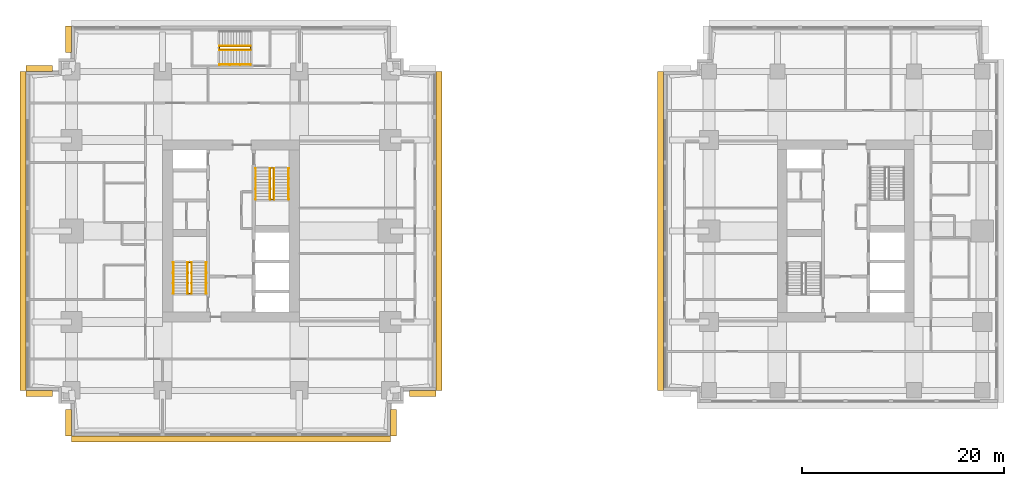
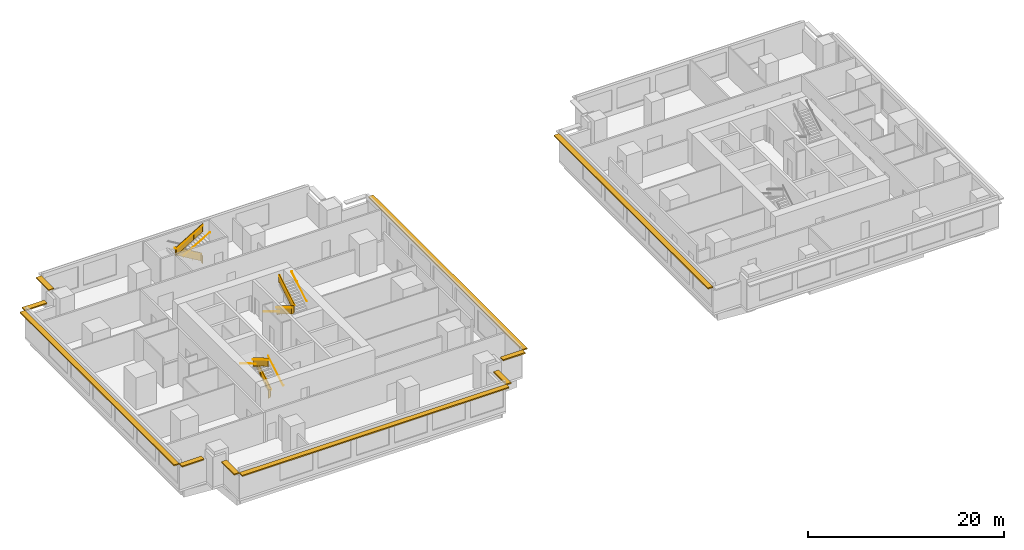
# One storey, part 9 of 10: 14 railings, 10 shading devices.
"""IFC4 building model written with IfcOpenShell, lengths in metres."""

from ifc_helpers import new_model, si_unit, direction, frame, origin, origin_2d, place, context, subcontext, project, spatial, polyline, rectangle, circle, outline, extrude, material, layer, layer_set, type_object, element, save


model = new_model("IFC4")

# Units and contexts
model_context = context("Model", 3, precision=1e-05, world=origin(), true_north=direction((0.0, 1.0)))
body_context = subcontext(model_context, "Body", "Model", "MODEL_VIEW")
ifc_project = project(units=[si_unit("LENGTHUNIT", "METRE"), si_unit("AREAUNIT", "SQUARE_METRE"), si_unit("VOLUMEUNIT", "CUBIC_METRE"), si_unit("PLANEANGLEUNIT", "RADIAN"), si_unit("MASSUNIT", "GRAM", prefix="KILO")], contexts=[model_context])

# Site, building, storey
site_placement = place(None, origin())
site = spatial("IfcSite", under=ifc_project, at=site_placement, CompositionType="ELEMENT")
building_placement = place(site_placement, origin())
building = spatial("IfcBuilding", under=site, at=building_placement, Name="Namib Vertical Campus", CompositionType="ELEMENT")
storey_placement = place(building_placement, frame((0.0, 0.0, 149.0)))
storey = spatial("IfcBuildingStorey", under=building, at=storey_placement, Name="L35", CompositionType="ELEMENT", Elevation=149.0)

# Railings
ifc_material_1 = material(Name="Steel handrail", Category="steel")
railing_type_1 = type_object("IfcRailingType", Name="Handrail 900", PredefinedType="HANDRAIL", material=ifc_material_1)
railing_1_placement = place(storey_placement, frame((17.800048828125, 14.050048828125, 0.166748046875)))
element("IfcRailing", 1, at=railing_1_placement, inside=storey, type_object=railing_type_1, Name="Handrail HR1 A-S1 L35 1", PredefinedType="HANDRAIL", context=body_context, shape_type="SweptSolid", body=[
    extrude(circle(Radius=0.02392578125, at=origin_2d()), frame((0.0, 0.0, 0.8759765625), z_axis=(0.0, 0.859290745958, 0.51148745235), x_axis=(-1.0, 0.0, 0.0)), (0.0, 0.0, 1.0), 3.584228515625),
    extrude(circle(Radius=0.008056640625, at=origin_2d()), frame((0.0, 0.0, 0.8759765625), z_axis=(1.0, 0.0, 0.0), x_axis=(0.0, 0.0, 1.0)), (0.0, 0.0, 1.0), 0.050048828125),
    extrude(circle(Radius=0.008056640625, at=origin_2d()), frame((0.0, 1.026611328125, 1.48681640625), z_axis=(1.0, 0.0, 0.0), x_axis=(0.0, 0.0, 1.0)), (0.0, 0.0, 1.0), 0.050048828125),
    extrude(circle(Radius=0.008056640625, at=origin_2d()), frame((0.0, 2.05322265625, 2.09814453125), z_axis=(1.0, 0.0, 0.0), x_axis=(0.0, 0.0, 1.0)), (0.0, 0.0, 1.0), 0.050048828125),
    extrude(circle(Radius=0.008056640625, at=origin_2d()), frame((0.0, 3.079833984375, 2.708984375), z_axis=(1.0, 0.0, 0.0), x_axis=(0.0, 0.0, 1.0)), (0.0, 0.0, 1.0), 0.050048828125),
])
railing_2_placement = place(storey_placement, frame((14.550048828125, 17.1298828125, 2.166748046875)))
element("IfcRailing", 2, at=railing_2_placement, inside=storey, type_object=railing_type_1, Name="Handrail HR1 A-S1 L35 2", PredefinedType="HANDRAIL", context=body_context, shape_type="SweptSolid", body=[
    extrude(circle(Radius=0.02392578125, at=origin_2d()), frame((0.0, 0.0, 0.8759765625), z_axis=(0.0, -0.859290745958, 0.51148745235), x_axis=(1.0, 0.0, 0.0)), (0.0, 0.0, 1.0), 3.584228515625),
    extrude(circle(Radius=0.008056640625, at=origin_2d()), frame((0.0, 0.0, 0.8759765625), z_axis=(-1.0, 0.0, 0.0), x_axis=(0.0, 0.0, 1.0)), (0.0, 0.0, 1.0), 0.050048828125),
    extrude(circle(Radius=0.008056640625, at=origin_2d()), frame((0.0, -1.026611328125, 1.48681640625), z_axis=(-1.0, 0.0, 0.0), x_axis=(0.0, 0.0, 1.0)), (0.0, 0.0, 1.0), 0.050048828125),
    extrude(circle(Radius=0.008056640625, at=origin_2d()), frame((0.0, -2.05322265625, 2.09814453125), z_axis=(-1.0, 0.0, 0.0), x_axis=(0.0, 0.0, 1.0)), (0.0, 0.0, 1.0), 0.050048828125),
    extrude(circle(Radius=0.008056640625, at=origin_2d()), frame((0.0, -3.079833984375, 2.708984375), z_axis=(-1.0, 0.0, 0.0), x_axis=(0.0, 0.0, 1.0)), (0.0, 0.0, 1.0), 0.050048828125),
])
railing_3_placement = place(storey_placement, frame((16.375, 14.050048828125, 0.166748046875)))
element("IfcRailing", 3, at=railing_3_placement, inside=storey, type_object=railing_type_1, Name="Handrail HR1 A-S1 L35 1 at the well", PredefinedType="HANDRAIL", context=body_context, shape_type="SweptSolid", body=[
    extrude(circle(Radius=0.02392578125, at=origin_2d()), frame((0.0, 0.0, 0.8759765625), z_axis=(0.0, 0.859290745958, 0.51148745235), x_axis=(-1.0, 0.0, 0.0)), (0.0, 0.0, 1.0), 3.584228515625),
    extrude(circle(Radius=0.008056640625, at=origin_2d()), frame((0.0, 0.0, 0.8759765625), z_axis=(-1.0, 0.0, 0.0), x_axis=(0.0, 0.0, 1.0)), (0.0, 0.0, 1.0), 0.0400390625),
    extrude(circle(Radius=0.008056640625, at=origin_2d()), frame((0.0, 1.026611328125, 1.48681640625), z_axis=(-1.0, 0.0, 0.0), x_axis=(0.0, 0.0, 1.0)), (0.0, 0.0, 1.0), 0.0400390625),
    extrude(circle(Radius=0.008056640625, at=origin_2d()), frame((0.0, 2.05322265625, 2.09814453125), z_axis=(-1.0, 0.0, 0.0), x_axis=(0.0, 0.0, 1.0)), (0.0, 0.0, 1.0), 0.0400390625),
    extrude(circle(Radius=0.008056640625, at=origin_2d()), frame((0.0, 3.079833984375, 2.708984375), z_axis=(-1.0, 0.0, 0.0), x_axis=(0.0, 0.0, 1.0)), (0.0, 0.0, 1.0), 0.0400390625),
])
railing_4_placement = place(storey_placement, frame((15.97509765625, 17.1298828125, 2.166748046875)))
element("IfcRailing", 4, at=railing_4_placement, inside=storey, type_object=railing_type_1, Name="Handrail HR1 A-S1 L35 2 at the well", PredefinedType="HANDRAIL", context=body_context, shape_type="SweptSolid", body=[
    extrude(circle(Radius=0.02392578125, at=origin_2d()), frame((0.0, 0.0, 0.8759765625), z_axis=(0.0, -0.859290745958, 0.51148745235), x_axis=(1.0, 0.0, 0.0)), (0.0, 0.0, 1.0), 3.584228515625),
    extrude(circle(Radius=0.008056640625, at=origin_2d()), frame((0.0, 0.0, 0.8759765625), z_axis=(1.0, 0.0, 0.0), x_axis=(0.0, 0.0, 1.0)), (0.0, 0.0, 1.0), 0.0400390625),
    extrude(circle(Radius=0.008056640625, at=origin_2d()), frame((0.0, -1.026611328125, 1.48681640625), z_axis=(1.0, 0.0, 0.0), x_axis=(0.0, 0.0, 1.0)), (0.0, 0.0, 1.0), 0.0400390625),
    extrude(circle(Radius=0.008056640625, at=origin_2d()), frame((0.0, -2.05322265625, 2.09814453125), z_axis=(1.0, 0.0, 0.0), x_axis=(0.0, 0.0, 1.0)), (0.0, 0.0, 1.0), 0.0400390625),
    extrude(circle(Radius=0.008056640625, at=origin_2d()), frame((0.0, -3.079833984375, 2.708984375), z_axis=(1.0, 0.0, 0.0), x_axis=(0.0, 0.0, 1.0)), (0.0, 0.0, 1.0), 0.0400390625),
])
railing_5_placement = place(storey_placement, frame((22.699951171875, 26.449951171875, 0.166748046875)))
element("IfcRailing", 5, at=railing_5_placement, inside=storey, type_object=railing_type_1, Name="Handrail HR1 A-S2 L35 1", PredefinedType="HANDRAIL", context=body_context, shape_type="SweptSolid", body=[
    extrude(circle(Radius=0.02392578125, at=origin_2d()), frame((0.0, 0.0, 0.8759765625), z_axis=(0.0, -0.859290745958, 0.51148745235), x_axis=(1.0, 0.0, 0.0)), (0.0, 0.0, 1.0), 3.584228515625),
    extrude(circle(Radius=0.008056640625, at=origin_2d()), frame((0.0, 0.0, 0.8759765625), z_axis=(-1.0, 0.0, 0.0), x_axis=(0.0, 0.0, 1.0)), (0.0, 0.0, 1.0), 0.050048828125),
    extrude(circle(Radius=0.008056640625, at=origin_2d()), frame((0.0, -1.026611328125, 1.48681640625), z_axis=(-1.0, 0.0, 0.0), x_axis=(0.0, 0.0, 1.0)), (0.0, 0.0, 1.0), 0.050048828125),
    extrude(circle(Radius=0.008056640625, at=origin_2d()), frame((0.0, -2.05322265625, 2.09814453125), z_axis=(-1.0, 0.0, 0.0), x_axis=(0.0, 0.0, 1.0)), (0.0, 0.0, 1.0), 0.050048828125),
    extrude(circle(Radius=0.008056640625, at=origin_2d()), frame((0.0, -3.079833984375, 2.708984375), z_axis=(-1.0, 0.0, 0.0), x_axis=(0.0, 0.0, 1.0)), (0.0, 0.0, 1.0), 0.050048828125),
])
railing_6_placement = place(storey_placement, frame((25.949951171875, 23.3701171875, 2.166748046875)))
element("IfcRailing", 6, at=railing_6_placement, inside=storey, type_object=railing_type_1, Name="Handrail HR1 A-S2 L35 2", PredefinedType="HANDRAIL", context=body_context, shape_type="SweptSolid", body=[
    extrude(circle(Radius=0.02392578125, at=origin_2d()), frame((0.0, 0.0, 0.8759765625), z_axis=(0.0, 0.859290745958, 0.51148745235), x_axis=(-1.0, 0.0, 0.0)), (0.0, 0.0, 1.0), 3.584228515625),
    extrude(circle(Radius=0.008056640625, at=origin_2d()), frame((0.0, 0.0, 0.8759765625), z_axis=(1.0, 0.0, 0.0), x_axis=(0.0, 0.0, 1.0)), (0.0, 0.0, 1.0), 0.050048828125),
    extrude(circle(Radius=0.008056640625, at=origin_2d()), frame((0.0, 1.026611328125, 1.48681640625), z_axis=(1.0, 0.0, 0.0), x_axis=(0.0, 0.0, 1.0)), (0.0, 0.0, 1.0), 0.050048828125),
    extrude(circle(Radius=0.008056640625, at=origin_2d()), frame((0.0, 2.05322265625, 2.09814453125), z_axis=(1.0, 0.0, 0.0), x_axis=(0.0, 0.0, 1.0)), (0.0, 0.0, 1.0), 0.050048828125),
    extrude(circle(Radius=0.008056640625, at=origin_2d()), frame((0.0, 3.079833984375, 2.708984375), z_axis=(1.0, 0.0, 0.0), x_axis=(0.0, 0.0, 1.0)), (0.0, 0.0, 1.0), 0.050048828125),
])
railing_7_placement = place(storey_placement, frame((24.125, 26.449951171875, 0.166748046875)))
element("IfcRailing", 7, at=railing_7_placement, inside=storey, type_object=railing_type_1, Name="Handrail HR1 A-S2 L35 1 at the well", PredefinedType="HANDRAIL", context=body_context, shape_type="SweptSolid", body=[
    extrude(circle(Radius=0.02392578125, at=origin_2d()), frame((0.0, 0.0, 0.8759765625), z_axis=(0.0, -0.859290745958, 0.51148745235), x_axis=(1.0, 0.0, 0.0)), (0.0, 0.0, 1.0), 3.584228515625),
    extrude(circle(Radius=0.008056640625, at=origin_2d()), frame((0.0, 0.0, 0.8759765625), z_axis=(1.0, 0.0, 0.0), x_axis=(0.0, 0.0, 1.0)), (0.0, 0.0, 1.0), 0.0400390625),
    extrude(circle(Radius=0.008056640625, at=origin_2d()), frame((0.0, -1.026611328125, 1.48681640625), z_axis=(1.0, 0.0, 0.0), x_axis=(0.0, 0.0, 1.0)), (0.0, 0.0, 1.0), 0.0400390625),
    extrude(circle(Radius=0.008056640625, at=origin_2d()), frame((0.0, -2.05322265625, 2.09814453125), z_axis=(1.0, 0.0, 0.0), x_axis=(0.0, 0.0, 1.0)), (0.0, 0.0, 1.0), 0.0400390625),
    extrude(circle(Radius=0.008056640625, at=origin_2d()), frame((0.0, -3.079833984375, 2.708984375), z_axis=(1.0, 0.0, 0.0), x_axis=(0.0, 0.0, 1.0)), (0.0, 0.0, 1.0), 0.0400390625),
])
railing_8_placement = place(storey_placement, frame((24.52490234375, 23.3701171875, 2.166748046875)))
element("IfcRailing", 8, at=railing_8_placement, inside=storey, type_object=railing_type_1, Name="Handrail HR1 A-S2 L35 2 at the well", PredefinedType="HANDRAIL", context=body_context, shape_type="SweptSolid", body=[
    extrude(circle(Radius=0.02392578125, at=origin_2d()), frame((0.0, 0.0, 0.8759765625), z_axis=(0.0, 0.859290745958, 0.51148745235), x_axis=(-1.0, 0.0, 0.0)), (0.0, 0.0, 1.0), 3.584228515625),
    extrude(circle(Radius=0.008056640625, at=origin_2d()), frame((0.0, 0.0, 0.8759765625), z_axis=(-1.0, 0.0, 0.0), x_axis=(0.0, 0.0, 1.0)), (0.0, 0.0, 1.0), 0.0400390625),
    extrude(circle(Radius=0.008056640625, at=origin_2d()), frame((0.0, 1.026611328125, 1.48681640625), z_axis=(-1.0, 0.0, 0.0), x_axis=(0.0, 0.0, 1.0)), (0.0, 0.0, 1.0), 0.0400390625),
    extrude(circle(Radius=0.008056640625, at=origin_2d()), frame((0.0, 2.05322265625, 2.09814453125), z_axis=(-1.0, 0.0, 0.0), x_axis=(0.0, 0.0, 1.0)), (0.0, 0.0, 1.0), 0.0400390625),
    extrude(circle(Radius=0.008056640625, at=origin_2d()), frame((0.0, 3.079833984375, 2.708984375), z_axis=(-1.0, 0.0, 0.0), x_axis=(0.0, 0.0, 1.0)), (0.0, 0.0, 1.0), 0.0400390625),
])
railing_9_placement = place(storey_placement, frame((19.1201171875, 36.699951171875, 2.166748046875)))
element("IfcRailing", 9, at=railing_9_placement, inside=storey, type_object=railing_type_1, Name="Handrail HR1 A-S3 L35 2", PredefinedType="HANDRAIL", context=body_context, shape_type="SweptSolid", body=[
    extrude(circle(Radius=0.02392578125, at=origin_2d()), frame((0.0, 0.0, 0.8759765625), z_axis=(0.859290745958, 0.0, 0.51148745235), x_axis=(0.0, 1.0, 0.0)), (0.0, 0.0, 1.0), 3.584228515625),
    extrude(circle(Radius=0.008056640625, at=origin_2d()), frame((0.0, 0.0, 0.8759765625), z_axis=(0.0, -1.0, 0.0), x_axis=(0.0, 0.0, 1.0)), (0.0, 0.0, 1.0), 0.050048828125),
    extrude(circle(Radius=0.008056640625, at=origin_2d()), frame((1.026611328125, 0.0, 1.48681640625), z_axis=(0.0, -1.0, 0.0), x_axis=(0.0, 0.0, 1.0)), (0.0, 0.0, 1.0), 0.050048828125),
    extrude(circle(Radius=0.008056640625, at=origin_2d()), frame((2.05322265625, 0.0, 2.09814453125), z_axis=(0.0, -1.0, 0.0), x_axis=(0.0, 0.0, 1.0)), (0.0, 0.0, 1.0), 0.050048828125),
    extrude(circle(Radius=0.008056640625, at=origin_2d()), frame((3.079833984375, 0.0, 2.708984375), z_axis=(0.0, -1.0, 0.0), x_axis=(0.0, 0.0, 1.0)), (0.0, 0.0, 1.0), 0.050048828125),
])
railing_10_placement = place(storey_placement, frame((22.199951171875, 38.52490234375, 0.166748046875)))
element("IfcRailing", 10, at=railing_10_placement, inside=storey, type_object=railing_type_1, Name="Handrail HR1 A-S3 L35 1 at the well", PredefinedType="HANDRAIL", context=body_context, shape_type="SweptSolid", body=[
    extrude(circle(Radius=0.02392578125, at=origin_2d()), frame((0.0, 0.0, 0.8759765625), z_axis=(-0.859290745958, 0.0, 0.51148745235), x_axis=(0.0, -1.0, 0.0)), (0.0, 0.0, 1.0), 3.584228515625),
    extrude(circle(Radius=0.008056640625, at=origin_2d()), frame((0.0, 0.0, 0.8759765625), z_axis=(0.0, -1.0, 0.0), x_axis=(0.0, 0.0, 1.0)), (0.0, 0.0, 1.0), 0.0400390625),
    extrude(circle(Radius=0.008056640625, at=origin_2d()), frame((-1.026611328125, 0.0, 1.48681640625), z_axis=(0.0, -1.0, 0.0), x_axis=(0.0, 0.0, 1.0)), (0.0, 0.0, 1.0), 0.0400390625),
    extrude(circle(Radius=0.008056640625, at=origin_2d()), frame((-2.05322265625, 0.0, 2.09814453125), z_axis=(0.0, -1.0, 0.0), x_axis=(0.0, 0.0, 1.0)), (0.0, 0.0, 1.0), 0.0400390625),
    extrude(circle(Radius=0.008056640625, at=origin_2d()), frame((-3.079833984375, 0.0, 2.708984375), z_axis=(0.0, -1.0, 0.0), x_axis=(0.0, 0.0, 1.0)), (0.0, 0.0, 1.0), 0.0400390625),
])
railing_11_placement = place(storey_placement, frame((19.1201171875, 38.125, 2.166748046875)))
element("IfcRailing", 11, at=railing_11_placement, inside=storey, type_object=railing_type_1, Name="Handrail HR1 A-S3 L35 2 at the well", PredefinedType="HANDRAIL", context=body_context, shape_type="SweptSolid", body=[
    extrude(circle(Radius=0.02392578125, at=origin_2d()), frame((0.0, 0.0, 0.8759765625), z_axis=(0.859290745958, 0.0, 0.51148745235), x_axis=(0.0, 1.0, 0.0)), (0.0, 0.0, 1.0), 3.584228515625),
    extrude(circle(Radius=0.008056640625, at=origin_2d()), frame((0.0, 0.0, 0.8759765625), z_axis=(0.0, 1.0, 0.0), x_axis=(0.0, 0.0, 1.0)), (0.0, 0.0, 1.0), 0.0400390625),
    extrude(circle(Radius=0.008056640625, at=origin_2d()), frame((1.026611328125, 0.0, 1.48681640625), z_axis=(0.0, 1.0, 0.0), x_axis=(0.0, 0.0, 1.0)), (0.0, 0.0, 1.0), 0.0400390625),
    extrude(circle(Radius=0.008056640625, at=origin_2d()), frame((2.05322265625, 0.0, 2.09814453125), z_axis=(0.0, 1.0, 0.0), x_axis=(0.0, 0.0, 1.0)), (0.0, 0.0, 1.0), 0.0400390625),
    extrude(circle(Radius=0.008056640625, at=origin_2d()), frame((3.079833984375, 0.0, 2.708984375), z_axis=(0.0, 1.0, 0.0), x_axis=(0.0, 0.0, 1.0)), (0.0, 0.0, 1.0), 0.0400390625),
])
ifc_material_2 = material(Name="Steel balustrade", Category="steel")
railing_type_2 = type_object("IfcRailingType", Name="Stair guard 1100", PredefinedType="GUARDRAIL", material=ifc_material_2)
railing_12_placement = place(storey_placement, frame((16.02490234375, 14.050048828125, 0.0)))
element("IfcRailing", 12, at=railing_12_placement, inside=storey, type_object=railing_type_2, Name="Stair guard GR1 A-S1 L35", PredefinedType="GUARDRAIL", context=body_context, shape_type="SweptSolid", body=[
    extrude(circle(Radius=0.02392578125, at=origin_2d()), frame((0.0, 0.0, 1.076171875), z_axis=(1.0, 0.0, 0.0), x_axis=(0.0, 1.0, 0.0)), (0.0, 0.0, 1.0), 0.300048828125),
    extrude(outline(polyline([(0.02099609375, 0.050048828125), (0.279052734375, 0.050048828125), (0.279052734375, 1.052001953125), (0.02099609375, 1.052001953125), (0.02099609375, 0.050048828125)])), frame((0.0, 0.010009765625, 0.0), z_axis=(0.0, -1.0, 0.0), x_axis=(1.0, 0.0, 0.0)), (0.0, 0.0, 1.0), 0.02001953125),
    extrude(circle(Radius=0.02392578125, at=origin_2d()), frame((0.300048828125, 0.0, 1.076171875), z_axis=(0.0, 0.0, 1.0), x_axis=(1.0, 0.0, 0.0)), (0.0, 0.0, 1.0), 0.166748046875),
    extrude(circle(Radius=0.02392578125, at=origin_2d()), frame((0.300048828125, 0.0, 1.24267578125), z_axis=(0.0, 0.859290745958, 0.51148745235), x_axis=(-1.0, 0.0, 0.0)), (0.0, 0.0, 1.0), 3.584228515625),
    extrude(outline(polyline([(0.02099609375, 0.0625), (3.058837890625, 1.870849609375), (3.058837890625, 2.872802734375), (0.02099609375, 1.064453125), (0.02099609375, 0.0625)])), frame((0.2900390625, 0.0, 0.166748046875), z_axis=(1.0, 0.0, 0.0), x_axis=(0.0, 1.0, 0.0)), (0.0, 0.0, 1.0), 0.02001953125),
    extrude(circle(Radius=0.02392578125, at=origin_2d()), frame((0.300048828125, 3.079833984375, 3.076171875), z_axis=(-1.0, 0.0, 0.0), x_axis=(0.0, -1.0, 0.0)), (0.0, 0.0, 1.0), 0.300048828125),
    extrude(outline(polyline([(0.02099609375, 0.050048828125), (0.279052734375, 0.050048828125), (0.279052734375, 1.052001953125), (0.02099609375, 1.052001953125), (0.02099609375, 0.050048828125)])), frame((0.300048828125, 3.06982421875, 2.0), z_axis=(0.0, 1.0, 0.0), x_axis=(-1.0, 0.0, 0.0)), (0.0, 0.0, 1.0), 0.02001953125),
    extrude(circle(Radius=0.02392578125, at=origin_2d()), frame((0.0, 3.079833984375, 3.076171875), z_axis=(0.0, 0.0, 1.0), x_axis=(1.0, 0.0, 0.0)), (0.0, 0.0, 1.0), 0.166748046875),
    extrude(circle(Radius=0.02392578125, at=origin_2d()), frame((0.0, 3.079833984375, 3.24267578125), z_axis=(0.0, -0.859290745958, 0.51148745235), x_axis=(1.0, 0.0, 0.0)), (0.0, 0.0, 1.0), 3.584228515625),
    extrude(outline(polyline([(0.02099609375, 0.0625), (3.058837890625, 1.870849609375), (3.058837890625, 2.872802734375), (0.02099609375, 1.064453125), (0.02099609375, 0.0625)])), frame((0.010009765625, 3.079833984375, 2.166748046875), z_axis=(-1.0, 0.0, 0.0), x_axis=(0.0, -1.0, 0.0)), (0.0, 0.0, 1.0), 0.02001953125),
    extrude(circle(Radius=0.02392578125, at=origin_2d()), frame((0.0, 0.0, 5.076171875), z_axis=(0.0, -1.0, 0.0), x_axis=(1.0, 0.0, 0.0)), (0.0, 0.0, 1.0), 0.050048828125),
    extrude(outline(polyline([(0.02099609375, 0.050048828125), (0.029052734375, 0.050048828125), (0.029052734375, 1.052001953125), (0.02099609375, 1.052001953125), (0.02099609375, 0.050048828125)])), frame((0.010009765625, 0.0, 4.0), z_axis=(-1.0, 0.0, 0.0), x_axis=(0.0, -1.0, 0.0)), (0.0, 0.0, 1.0), 0.02001953125),
    extrude(circle(Radius=0.02099609375, at=origin_2d()), origin(), (0.0, 0.0, 1.0), 1.052001953125),
    extrude(circle(Radius=0.02099609375, at=origin_2d()), frame((0.300048828125, 0.0, 0.166748046875)), (0.0, 0.0, 1.0), 1.052001953125),
    extrude(circle(Radius=0.02099609375, at=origin_2d()), frame((0.300048828125, 1.026611328125, 0.666748046875)), (0.0, 0.0, 1.0), 1.1630859375),
    extrude(circle(Radius=0.02099609375, at=origin_2d()), frame((0.300048828125, 2.05322265625, 1.33349609375)), (0.0, 0.0, 1.0), 1.107421875),
    extrude(circle(Radius=0.02099609375, at=origin_2d()), frame((0.300048828125, 3.079833984375, 2.0)), (0.0, 0.0, 1.0), 1.052001953125),
    extrude(circle(Radius=0.02099609375, at=origin_2d()), frame((0.0, 3.079833984375, 2.166748046875)), (0.0, 0.0, 1.0), 1.052001953125),
    extrude(circle(Radius=0.02099609375, at=origin_2d()), frame((0.0, 2.05322265625, 2.666748046875)), (0.0, 0.0, 1.0), 1.1630859375),
    extrude(circle(Radius=0.02099609375, at=origin_2d()), frame((0.0, 1.026611328125, 3.33349609375)), (0.0, 0.0, 1.0), 1.107421875),
    extrude(circle(Radius=0.02099609375, at=origin_2d()), frame((0.0, 0.0, 4.0)), (0.0, 0.0, 1.0), 1.052001953125),
    extrude(circle(Radius=0.02099609375, at=origin_2d()), frame((0.0, -0.050048828125, 4.0)), (0.0, 0.0, 1.0), 1.052001953125),
])
railing_13_placement = place(storey_placement, frame((24.47509765625, 26.449951171875, 0.0)))
element("IfcRailing", 13, at=railing_13_placement, inside=storey, type_object=railing_type_2, Name="Stair guard GR1 A-S2 L35", PredefinedType="GUARDRAIL", context=body_context, shape_type="SweptSolid", body=[
    extrude(circle(Radius=0.02392578125, at=origin_2d()), frame((0.0, 0.0, 1.076171875), z_axis=(-1.0, 0.0, 0.0), x_axis=(0.0, -1.0, 0.0)), (0.0, 0.0, 1.0), 0.300048828125),
    extrude(outline(polyline([(0.02099609375, 0.050048828125), (0.279052734375, 0.050048828125), (0.279052734375, 1.052001953125), (0.02099609375, 1.052001953125), (0.02099609375, 0.050048828125)])), frame((0.0, -0.010009765625, 0.0), z_axis=(0.0, 1.0, 0.0), x_axis=(-1.0, 0.0, 0.0)), (0.0, 0.0, 1.0), 0.02001953125),
    extrude(circle(Radius=0.02392578125, at=origin_2d()), frame((-0.300048828125, 0.0, 1.076171875), z_axis=(0.0, 0.0, 1.0), x_axis=(1.0, 0.0, 0.0)), (0.0, 0.0, 1.0), 0.166748046875),
    extrude(circle(Radius=0.02392578125, at=origin_2d()), frame((-0.300048828125, 0.0, 1.24267578125), z_axis=(0.0, -0.859290745958, 0.51148745235), x_axis=(1.0, 0.0, 0.0)), (0.0, 0.0, 1.0), 3.584228515625),
    extrude(outline(polyline([(0.02099609375, 0.0625), (3.058837890625, 1.870849609375), (3.058837890625, 2.872802734375), (0.02099609375, 1.064453125), (0.02099609375, 0.0625)])), frame((-0.2900390625, 0.0, 0.166748046875), z_axis=(-1.0, 0.0, 0.0), x_axis=(0.0, -1.0, 0.0)), (0.0, 0.0, 1.0), 0.02001953125),
    extrude(circle(Radius=0.02392578125, at=origin_2d()), frame((-0.300048828125, -3.079833984375, 3.076171875), z_axis=(1.0, 0.0, 0.0), x_axis=(0.0, 1.0, 0.0)), (0.0, 0.0, 1.0), 0.300048828125),
    extrude(outline(polyline([(0.02099609375, 0.050048828125), (0.279052734375, 0.050048828125), (0.279052734375, 1.052001953125), (0.02099609375, 1.052001953125), (0.02099609375, 0.050048828125)])), frame((-0.300048828125, -3.06982421875, 2.0), z_axis=(0.0, -1.0, 0.0), x_axis=(1.0, 0.0, 0.0)), (0.0, 0.0, 1.0), 0.02001953125),
    extrude(circle(Radius=0.02392578125, at=origin_2d()), frame((0.0, -3.079833984375, 3.076171875), z_axis=(0.0, 0.0, 1.0), x_axis=(1.0, 0.0, 0.0)), (0.0, 0.0, 1.0), 0.166748046875),
    extrude(circle(Radius=0.02392578125, at=origin_2d()), frame((0.0, -3.079833984375, 3.24267578125), z_axis=(0.0, 0.859290745958, 0.51148745235), x_axis=(-1.0, 0.0, 0.0)), (0.0, 0.0, 1.0), 3.584228515625),
    extrude(outline(polyline([(0.02099609375, 0.0625), (3.058837890625, 1.870849609375), (3.058837890625, 2.872802734375), (0.02099609375, 1.064453125), (0.02099609375, 0.0625)])), frame((-0.010009765625, -3.079833984375, 2.166748046875), z_axis=(1.0, 0.0, 0.0), x_axis=(0.0, 1.0, 0.0)), (0.0, 0.0, 1.0), 0.02001953125),
    extrude(circle(Radius=0.02392578125, at=origin_2d()), frame((0.0, 0.0, 5.076171875), z_axis=(0.0, 1.0, 0.0), x_axis=(-1.0, 0.0, 0.0)), (0.0, 0.0, 1.0), 0.050048828125),
    extrude(outline(polyline([(0.02099609375, 0.050048828125), (0.029052734375, 0.050048828125), (0.029052734375, 1.052001953125), (0.02099609375, 1.052001953125), (0.02099609375, 0.050048828125)])), frame((-0.010009765625, 0.0, 4.0), z_axis=(1.0, 0.0, 0.0), x_axis=(0.0, 1.0, 0.0)), (0.0, 0.0, 1.0), 0.02001953125),
    extrude(circle(Radius=0.02099609375, at=origin_2d()), origin(), (0.0, 0.0, 1.0), 1.052001953125),
    extrude(circle(Radius=0.02099609375, at=origin_2d()), frame((-0.300048828125, 0.0, 0.166748046875)), (0.0, 0.0, 1.0), 1.052001953125),
    extrude(circle(Radius=0.02099609375, at=origin_2d()), frame((-0.300048828125, -1.026611328125, 0.666748046875)), (0.0, 0.0, 1.0), 1.1630859375),
    extrude(circle(Radius=0.02099609375, at=origin_2d()), frame((-0.300048828125, -2.05322265625, 1.33349609375)), (0.0, 0.0, 1.0), 1.107421875),
    extrude(circle(Radius=0.02099609375, at=origin_2d()), frame((-0.300048828125, -3.079833984375, 2.0)), (0.0, 0.0, 1.0), 1.052001953125),
    extrude(circle(Radius=0.02099609375, at=origin_2d()), frame((0.0, -3.079833984375, 2.166748046875)), (0.0, 0.0, 1.0), 1.052001953125),
    extrude(circle(Radius=0.02099609375, at=origin_2d()), frame((0.0, -2.05322265625, 2.666748046875)), (0.0, 0.0, 1.0), 1.1630859375),
    extrude(circle(Radius=0.02099609375, at=origin_2d()), frame((0.0, -1.026611328125, 3.33349609375)), (0.0, 0.0, 1.0), 1.107421875),
    extrude(circle(Radius=0.02099609375, at=origin_2d()), frame((0.0, 0.0, 4.0)), (0.0, 0.0, 1.0), 1.052001953125),
    extrude(circle(Radius=0.02099609375, at=origin_2d()), frame((0.0, 0.050048828125, 4.0)), (0.0, 0.0, 1.0), 1.052001953125),
])
railing_14_placement = place(storey_placement, frame((22.199951171875, 38.175048828125, 0.0)))
element("IfcRailing", 14, at=railing_14_placement, inside=storey, type_object=railing_type_2, Name="Stair guard GR1 A-S3 L35", PredefinedType="GUARDRAIL", context=body_context, shape_type="SweptSolid", body=[
    extrude(circle(Radius=0.02392578125, at=origin_2d()), frame((0.0, 0.0, 1.076171875), z_axis=(0.0, 1.0, 0.0), x_axis=(-1.0, 0.0, 0.0)), (0.0, 0.0, 1.0), 0.300048828125),
    extrude(outline(polyline([(0.02099609375, 0.050048828125), (0.279052734375, 0.050048828125), (0.279052734375, 1.052001953125), (0.02099609375, 1.052001953125), (0.02099609375, 0.050048828125)])), frame((-0.010009765625, 0.0, 0.0), z_axis=(1.0, 0.0, 0.0), x_axis=(0.0, 1.0, 0.0)), (0.0, 0.0, 1.0), 0.02001953125),
    extrude(circle(Radius=0.02392578125, at=origin_2d()), frame((0.0, 0.300048828125, 1.076171875), z_axis=(0.0, 0.0, 1.0), x_axis=(1.0, 0.0, 0.0)), (0.0, 0.0, 1.0), 0.166748046875),
    extrude(circle(Radius=0.02392578125, at=origin_2d()), frame((0.0, 0.300048828125, 1.24267578125), z_axis=(-0.859290745958, 0.0, 0.51148745235), x_axis=(0.0, -1.0, 0.0)), (0.0, 0.0, 1.0), 3.584228515625),
    extrude(outline(polyline([(0.02099609375, 0.0625), (3.058837890625, 1.870849609375), (3.058837890625, 2.872802734375), (0.02099609375, 1.064453125), (0.02099609375, 0.0625)])), frame((0.0, 0.2900390625, 0.166748046875), z_axis=(0.0, 1.0, 0.0), x_axis=(-1.0, 0.0, 0.0)), (0.0, 0.0, 1.0), 0.02001953125),
    extrude(circle(Radius=0.02392578125, at=origin_2d()), frame((-3.079833984375, 0.300048828125, 3.076171875), z_axis=(0.0, -1.0, 0.0), x_axis=(1.0, 0.0, 0.0)), (0.0, 0.0, 1.0), 0.300048828125),
    extrude(outline(polyline([(0.02099609375, 0.050048828125), (0.279052734375, 0.050048828125), (0.279052734375, 1.052001953125), (0.02099609375, 1.052001953125), (0.02099609375, 0.050048828125)])), frame((-3.06982421875, 0.300048828125, 2.0), z_axis=(-1.0, 0.0, 0.0), x_axis=(0.0, -1.0, 0.0)), (0.0, 0.0, 1.0), 0.02001953125),
    extrude(circle(Radius=0.02392578125, at=origin_2d()), frame((-3.079833984375, 0.0, 3.076171875), z_axis=(0.0, 0.0, 1.0), x_axis=(1.0, 0.0, 0.0)), (0.0, 0.0, 1.0), 0.166748046875),
    extrude(circle(Radius=0.02392578125, at=origin_2d()), frame((-3.079833984375, 0.0, 3.24267578125), z_axis=(0.859290745958, 0.0, 0.51148745235), x_axis=(0.0, 1.0, 0.0)), (0.0, 0.0, 1.0), 3.584228515625),
    extrude(outline(polyline([(0.02099609375, 0.0625), (3.058837890625, 1.870849609375), (3.058837890625, 2.872802734375), (0.02099609375, 1.064453125), (0.02099609375, 0.0625)])), frame((-3.079833984375, 0.010009765625, 2.166748046875), z_axis=(0.0, -1.0, 0.0), x_axis=(1.0, 0.0, 0.0)), (0.0, 0.0, 1.0), 0.02001953125),
    extrude(circle(Radius=0.02392578125, at=origin_2d()), frame((0.0, 0.0, 5.076171875), z_axis=(1.0, 0.0, 0.0), x_axis=(0.0, 1.0, 0.0)), (0.0, 0.0, 1.0), 0.050048828125),
    extrude(outline(polyline([(0.02099609375, 0.050048828125), (0.029052734375, 0.050048828125), (0.029052734375, 1.052001953125), (0.02099609375, 1.052001953125), (0.02099609375, 0.050048828125)])), frame((0.0, 0.010009765625, 4.0), z_axis=(0.0, -1.0, 0.0), x_axis=(1.0, 0.0, 0.0)), (0.0, 0.0, 1.0), 0.02001953125),
    extrude(circle(Radius=0.02099609375, at=origin_2d()), origin(), (0.0, 0.0, 1.0), 1.052001953125),
    extrude(circle(Radius=0.02099609375, at=origin_2d()), frame((0.0, 0.300048828125, 0.166748046875)), (0.0, 0.0, 1.0), 1.052001953125),
    extrude(circle(Radius=0.02099609375, at=origin_2d()), frame((-1.026611328125, 0.300048828125, 0.666748046875)), (0.0, 0.0, 1.0), 1.1630859375),
    extrude(circle(Radius=0.02099609375, at=origin_2d()), frame((-2.05322265625, 0.300048828125, 1.33349609375)), (0.0, 0.0, 1.0), 1.107421875),
    extrude(circle(Radius=0.02099609375, at=origin_2d()), frame((-3.079833984375, 0.300048828125, 2.0)), (0.0, 0.0, 1.0), 1.052001953125),
    extrude(circle(Radius=0.02099609375, at=origin_2d()), frame((-3.079833984375, 0.0, 2.166748046875)), (0.0, 0.0, 1.0), 1.052001953125),
    extrude(circle(Radius=0.02099609375, at=origin_2d()), frame((-2.05322265625, 0.0, 2.666748046875)), (0.0, 0.0, 1.0), 1.1630859375),
    extrude(circle(Radius=0.02099609375, at=origin_2d()), frame((-1.026611328125, 0.0, 3.33349609375)), (0.0, 0.0, 1.0), 1.107421875),
    extrude(circle(Radius=0.02099609375, at=origin_2d()), frame((0.0, 0.0, 4.0)), (0.0, 0.0, 1.0), 1.052001953125),
    extrude(circle(Radius=0.02099609375, at=origin_2d()), frame((0.050048828125, 0.0, 4.0)), (0.0, 0.0, 1.0), 1.052001953125),
])

# Shading devices
ifc_material_3 = material(Name="Concrete C40/50 precast", Category="concrete")
ifc_layer = layer(ifc_material_3, 0.14990234375)
ifc_layer_set = layer_set([ifc_layer], Name="Concrete C40/50 precast")
shading_device_type = type_object("IfcShadingDeviceType", Name="Sunshade hood 600", PredefinedType="SHUTTER", material=ifc_layer_set)
shading_device_1_placement = place(storey_placement, frame((20.25, -0.300048828125, 3.199951171875), z_axis=(0.0, 0.0, 1.0), x_axis=(1.0, 0.0, 0.0)))
element("IfcShadingDevice", 15, at=shading_device_1_placement, inside=storey, type_object=shading_device_type, Name="Sunshade SH3 L35 1", PredefinedType="SHUTTER", context=body_context, shape_type="SweptSolid", body=[
    extrude(rectangle(XDim=31.5, YDim=0.60009765625, at=origin_2d()), origin(), (0.0, 0.0, 1.0), 0.14990234375),
])
for number, where, z_axis, x_axis, name in (
    (16, (36.300048828125, 1.300048828125, 3.199951171875), (0.0, 0.0, 1.0), (0.0, 1.0, 0.0), "Sunshade SH3 L35 2"),
    (17, (39.199951171875, 4.199951171875, 3.199951171875), (0.0, 0.0, 1.0), (1.0, 0.0, 0.0), "Sunshade SH3 L35 5"),
):
    element("IfcShadingDevice", number, at=place(storey_placement, frame(where, z_axis=z_axis, x_axis=x_axis)), inside=storey, type_object=shading_device_type, Name=name, PredefinedType="SHUTTER", context=body_context, shape_type="SweptSolid", body=[
        extrude(rectangle(XDim=2.60009765625, YDim=0.60009765625, at=origin_2d()), origin(), (0.0, 0.0, 1.0), 0.14990234375),
    ])
shading_device_2_placement = place(storey_placement, frame((40.800048828125, 20.25, 3.199951171875), z_axis=(0.0, 0.0, 1.0), x_axis=(0.0, 1.0, 0.0)))
element("IfcShadingDevice", 18, at=shading_device_2_placement, inside=storey, type_object=shading_device_type, Name="Sunshade SH3 L35 6", PredefinedType="SHUTTER", context=body_context, shape_type="SweptSolid", body=[
    extrude(rectangle(XDim=31.5, YDim=0.60009765625, at=origin_2d()), origin(), (0.0, 0.0, 1.0), 0.14990234375),
])
for number, where, z_axis, x_axis, name in (
    (19, (4.199951171875, 39.199951171875, 3.199951171875), (0.0, 0.0, 1.0), (0.0, -1.0, 0.0), "Sunshade SH3 L35 12"),
    (20, (1.300048828125, 36.300048828125, 3.199951171875), (0.0, 0.0, 1.0), (-1.0, 0.0, 0.0), "Sunshade SH3 L35 15"),
):
    element("IfcShadingDevice", number, at=place(storey_placement, frame(where, z_axis=z_axis, x_axis=x_axis)), inside=storey, type_object=shading_device_type, Name=name, PredefinedType="SHUTTER", context=body_context, shape_type="SweptSolid", body=[
        extrude(rectangle(XDim=2.60009765625, YDim=0.60009765625, at=origin_2d()), origin(), (0.0, 0.0, 1.0), 0.14990234375),
    ])
shading_device_3_placement = place(storey_placement, frame((-0.300048828125, 20.25, 3.199951171875), z_axis=(0.0, 0.0, 1.0), x_axis=(0.0, -1.0, 0.0)))
element("IfcShadingDevice", 21, at=shading_device_3_placement, inside=storey, type_object=shading_device_type, Name="Sunshade SH3 L35 16", PredefinedType="SHUTTER", context=body_context, shape_type="SweptSolid", body=[
    extrude(rectangle(XDim=31.5, YDim=0.60009765625, at=origin_2d()), origin(), (0.0, 0.0, 1.0), 0.14990234375),
])
for number, where, z_axis, x_axis, name in (
    (22, (1.300048828125, 4.199951171875, 3.199951171875), (0.0, 0.0, 1.0), (1.0, 0.0, 0.0), "Sunshade SH3 L35 17"),
    (23, (4.199951171875, 1.300048828125, 3.199951171875), (0.0, 0.0, 1.0), (0.0, -1.0, 0.0), "Sunshade SH3 L35 20"),
):
    element("IfcShadingDevice", number, at=place(storey_placement, frame(where, z_axis=z_axis, x_axis=x_axis)), inside=storey, type_object=shading_device_type, Name=name, PredefinedType="SHUTTER", context=body_context, shape_type="SweptSolid", body=[
        extrude(rectangle(XDim=2.60009765625, YDim=0.60009765625, at=origin_2d()), origin(), (0.0, 0.0, 1.0), 0.14990234375),
    ])
shading_device_4_placement = place(storey_placement, frame((62.699951171875, 20.25, 3.199951171875), z_axis=(0.0, 0.0, 1.0), x_axis=(0.0, -1.0, 0.0)))
element("IfcShadingDevice", 24, at=shading_device_4_placement, inside=storey, type_object=shading_device_type, Name="Sunshade SH3 L35 12", PredefinedType="SHUTTER", context=body_context, shape_type="SweptSolid", body=[
    extrude(rectangle(XDim=31.5, YDim=0.60009765625, at=origin_2d()), origin(), (0.0, 0.0, 1.0), 0.14990234375),
])

save(model, "model.ifc")
